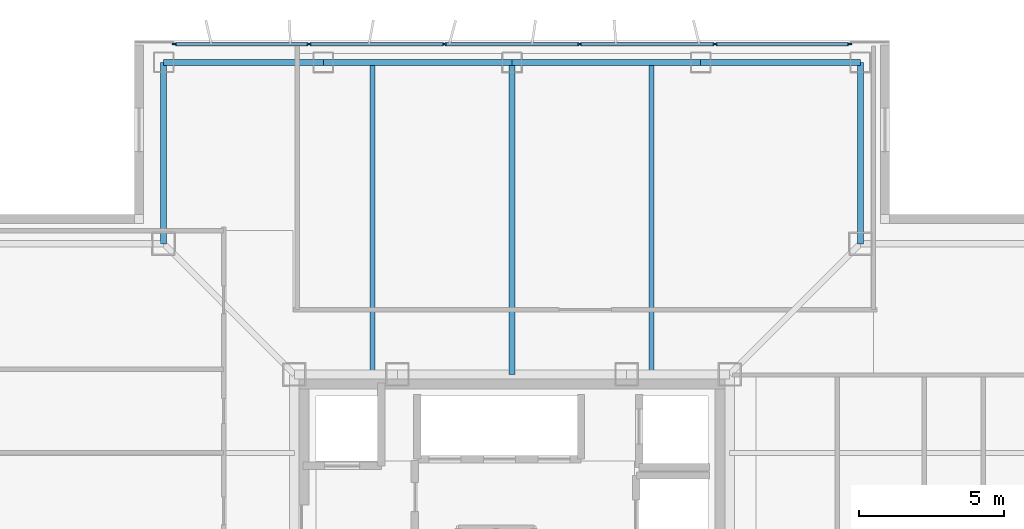
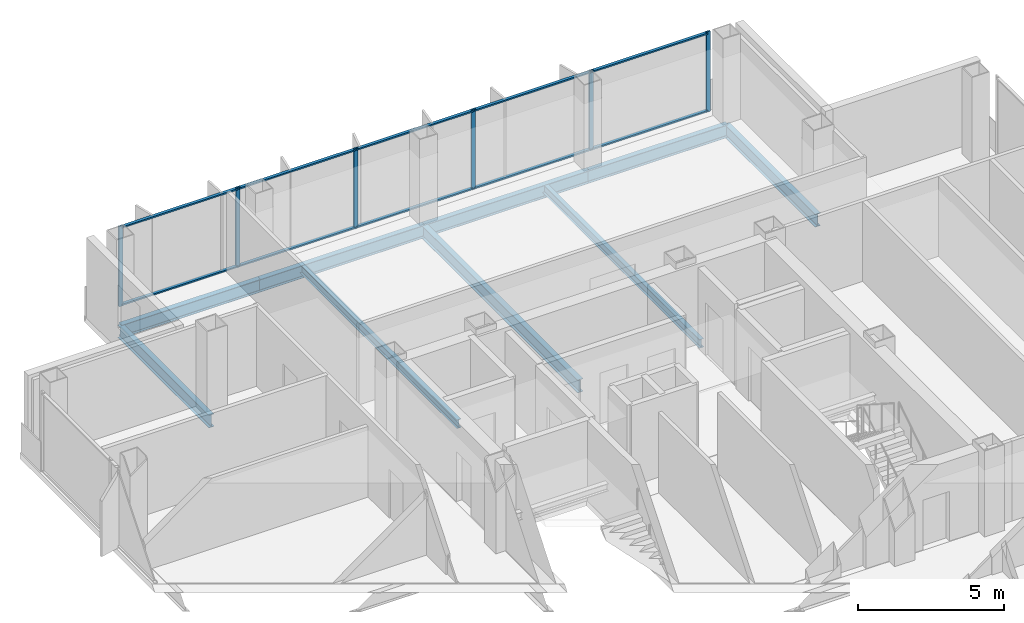
# One storey, part 6 of 15: 16 members, 9 beams, 1 element without a shape of its own.
"""IFC4 building model written with IfcOpenShell, lengths in metres."""

from ifc_helpers import new_model, si_unit, direction, frame, origin, origin_2d, place, context, subcontext, project, spatial, rectangle, i_section, extrude, material, layer, layer_set, material_profile, profile_set, type_object, element, aggregate, save


model = new_model("IFC4")

# Units and contexts
model_context = context("Model", 3, precision=1e-05, world=origin(), true_north=direction((0.0, 1.0)))
body_context = subcontext(model_context, "Body", "Model", "MODEL_VIEW")
ifc_project = project(units=[si_unit("LENGTHUNIT", "METRE"), si_unit("AREAUNIT", "SQUARE_METRE"), si_unit("VOLUMEUNIT", "CUBIC_METRE"), si_unit("PLANEANGLEUNIT", "RADIAN"), si_unit("MASSUNIT", "GRAM", prefix="KILO")], contexts=[model_context])

# Site, building, storey
site_placement = place(None, origin())
site = spatial("IfcSite", under=ifc_project, at=site_placement, CompositionType="ELEMENT")
building_placement = place(site_placement, origin())
building = spatial("IfcBuilding", under=site, at=building_placement, Name="Trevonay Congress Spire", CompositionType="ELEMENT")
storey_placement = place(building_placement, frame((0.0, 0.0, 293.60009765625)))
storey = spatial("IfcBuildingStorey", under=building, at=storey_placement, Name="L77", CompositionType="ELEMENT", Elevation=293.60009765625)

# Beams
ifc_material_1 = material(Name="Steel ASTM A572 Grade 50", Category="steel")
ifc_material_profile_1 = material_profile(ifc_material_1, i_section(OverallWidth=0.2119140625, OverallDepth=0.5439453125, WebThickness=0.01318359375, FlangeThickness=0.021240234375, FilletRadius=0.014892578125, at=origin_2d()), Name="W530x123")
ifc_profile_set_1 = profile_set([ifc_material_profile_1], Name="Steel ASTM A572 Grade 50")
beam_type_1 = type_object("IfcBeamType", Name="BM-GIRD-W530X123", PredefinedType="BEAM", material=ifc_profile_set_1)
beam_1_placement = place(storey_placement, frame((0.0, 7.5, -0.51220703125), z_axis=(0.0, 1.0, 0.0), x_axis=(-1.0, 0.0, 0.0)))
element("IfcBeam", 1, at=beam_1_placement, inside=storey, type_object=beam_type_1, Name="L77 structural beam BM-L77-GC-N", PredefinedType="BEAM", context=body_context, shape_type="SweptSolid", body=[
    extrude(i_section(OverallWidth=0.2119140625, OverallDepth=0.5439453125, WebThickness=0.01318359375, FlangeThickness=0.021240234375, FilletRadius=0.014892578125, at=origin_2d()), origin(), (0.0, 0.0, 1.0), 10.75),
])
ifc_material_profile_2 = material_profile(ifc_material_1, i_section(OverallWidth=0.208984375, OverallDepth=0.532958984375, WebThickness=0.01025390625, FlangeThickness=0.015625, FilletRadius=0.014892578125, at=origin_2d()), Name="W530x92")
ifc_profile_set_2 = profile_set([ifc_material_profile_2], Name="Steel ASTM A572 Grade 50")
beam_type_2 = type_object("IfcBeamType", Name="BM-RING-W530X92", PredefinedType="BEAM", material=ifc_profile_set_2)
beam_2_placement = place(storey_placement, frame((-12.0, 18.25, -0.506591796875), z_axis=(1.0, 0.0, 0.0), x_axis=(0.0, 1.0, 0.0)))
element("IfcBeam", 2, at=beam_2_placement, inside=storey, type_object=beam_type_2, Name="L77 structural beam BM-L77-PN1", PredefinedType="BEAM", context=body_context, shape_type="SweptSolid", body=[
    extrude(i_section(OverallWidth=0.208984375, OverallDepth=0.532958984375, WebThickness=0.01025390625, FlangeThickness=0.015625, FilletRadius=0.014892578125, at=origin_2d()), origin(), (0.0, 0.0, 1.0), 5.5),
])
for number, where, z_axis, x_axis, name in (
    (3, (-6.5, 18.25, -0.506591796875), (1.0, 0.0, 0.0), (0.0, 1.0, 0.0), "L77 structural beam BM-L77-PN2"),
    (4, (0.0, 18.25, -0.506591796875), (1.0, 0.0, 0.0), (0.0, 1.0, 0.0), "L77 structural beam BM-L77-PN3"),
):
    element("IfcBeam", number, at=place(storey_placement, frame(where, z_axis=z_axis, x_axis=x_axis)), inside=storey, type_object=beam_type_2, Name=name, PredefinedType="BEAM", context=body_context, shape_type="SweptSolid", body=[
        extrude(i_section(OverallWidth=0.208984375, OverallDepth=0.532958984375, WebThickness=0.01025390625, FlangeThickness=0.015625, FilletRadius=0.014892578125, at=origin_2d()), origin(), (0.0, 0.0, 1.0), 6.5),
    ])
beam_3_placement = place(storey_placement, frame((6.5, 18.25, -0.506591796875), z_axis=(1.0, 0.0, 0.0), x_axis=(0.0, 1.0, 0.0)))
element("IfcBeam", 5, at=beam_3_placement, inside=storey, type_object=beam_type_2, Name="L77 structural beam BM-L77-PN4", PredefinedType="BEAM", context=body_context, shape_type="SweptSolid", body=[
    extrude(i_section(OverallWidth=0.208984375, OverallDepth=0.532958984375, WebThickness=0.01025390625, FlangeThickness=0.015625, FilletRadius=0.014892578125, at=origin_2d()), origin(), (0.0, 0.0, 1.0), 5.5),
])
for number, where, z_axis, x_axis, name in (
    (6, (12.0, 18.25, -0.506591796875), (0.0, -1.0, 0.0), (1.0, 0.0, 0.0), "L77 structural beam BM-L77-N1NE"),
    (7, (-12.0, 18.25, -0.506591796875), (0.0, -1.0, 0.0), (1.0, 0.0, 0.0), "L77 structural beam BM-L77-N1NW"),
):
    element("IfcBeam", number, at=place(storey_placement, frame(where, z_axis=z_axis, x_axis=x_axis)), inside=storey, type_object=beam_type_2, Name=name, PredefinedType="BEAM", context=body_context, shape_type="SweptSolid", body=[
        extrude(i_section(OverallWidth=0.208984375, OverallDepth=0.532958984375, WebThickness=0.01025390625, FlangeThickness=0.015625, FilletRadius=0.014892578125, at=origin_2d()), origin(), (0.0, 0.0, 1.0), 6.25),
    ])

# Curtain wall, members
ifc_material_2 = material(Name="Pale Anodised Aluminium EN AW-6063-T6", Category="aluminium")
ifc_layer = layer(ifc_material_2, 0.1650390625, Name="Pale Anodised Aluminium EN AW-6063-T6")
ifc_layer_set = layer_set([ifc_layer], Name="Pale Anodised Aluminium EN AW-6063-T6")
curtain_wall_type = type_object("IfcCurtainWallType", Name="CW-SYS05-DIPLOM-PALE-METAL", PredefinedType="NOTDEFINED", material=ifc_layer_set)
curtain_wall_placement = place(storey_placement, origin())
curtain_wall = element("IfcCurtainWall", 8, at=curtain_wall_placement, inside=storey, type_object=curtain_wall_type, Name="L77 N unitised curtain wall", PredefinedType="NOTDEFINED")
ifc_material_profile_3 = material_profile(ifc_material_2, rectangle(XDim=0.06005859375, YDim=0.159912109375, at=origin_2d()), Name="CW-MULLION-160-ALUMINIUM")
ifc_profile_set_3 = profile_set([ifc_material_profile_3], Name="Pale Anodised Aluminium EN AW-6063-T6")
member_type_1 = type_object("IfcMemberType", Name="CW-MULLION-160-ALUMINIUM", PredefinedType="MULLION", material=ifc_profile_set_3)
member_1_placement = place(storey_placement, frame((-11.6201171875, 18.8798828125, 0.0), z_axis=(0.0, 0.0, 1.0), x_axis=(0.0, 1.0, 0.0)))
member_1 = element("IfcMember", 9, at=member_1_placement, type_object=member_type_1, Name="CW05 mullion 1", PredefinedType="MULLION", context=body_context, shape_type="SweptSolid", body=[
    extrude(rectangle(XDim=0.06005859375, YDim=0.159912109375, at=origin_2d()), origin(), (0.0, 0.0, 1.0), 3.35986328125),
])
member_2_placement = place(storey_placement, frame((-6.989990234375, 18.8798828125, 0.0), z_axis=(0.0, 0.0, 1.0), x_axis=(0.0, 1.0, 0.0)))
member_2 = element("IfcMember", 10, at=member_2_placement, type_object=member_type_1, Name="CW05 mullion 2", PredefinedType="MULLION", context=body_context, shape_type="SweptSolid", body=[
    extrude(rectangle(XDim=0.06005859375, YDim=0.159912109375, at=origin_2d()), origin(), (0.0, 0.0, 1.0), 3.35986328125),
])
member_3_placement = place(storey_placement, frame((-2.330078125, 18.8798828125, 0.0), z_axis=(0.0, 0.0, 1.0), x_axis=(0.0, 1.0, 0.0)))
member_3 = element("IfcMember", 11, at=member_3_placement, type_object=member_type_1, Name="CW05 mullion 3", PredefinedType="MULLION", context=body_context, shape_type="SweptSolid", body=[
    extrude(rectangle(XDim=0.06005859375, YDim=0.159912109375, at=origin_2d()), origin(), (0.0, 0.0, 1.0), 3.35986328125),
])
member_4_placement = place(storey_placement, frame((2.330078125, 18.8798828125, 0.0), z_axis=(0.0, 0.0, 1.0), x_axis=(0.0, 1.0, 0.0)))
member_4 = element("IfcMember", 12, at=member_4_placement, type_object=member_type_1, Name="CW05 mullion 4", PredefinedType="MULLION", context=body_context, shape_type="SweptSolid", body=[
    extrude(rectangle(XDim=0.06005859375, YDim=0.159912109375, at=origin_2d()), origin(), (0.0, 0.0, 1.0), 3.35986328125),
])
member_5_placement = place(storey_placement, frame((6.989990234375, 18.8798828125, 0.0), z_axis=(0.0, 0.0, 1.0), x_axis=(0.0, 1.0, 0.0)))
member_5 = element("IfcMember", 13, at=member_5_placement, type_object=member_type_1, Name="CW05 mullion 5", PredefinedType="MULLION", context=body_context, shape_type="SweptSolid", body=[
    extrude(rectangle(XDim=0.06005859375, YDim=0.159912109375, at=origin_2d()), origin(), (0.0, 0.0, 1.0), 3.35986328125),
])
member_6_placement = place(storey_placement, frame((11.6201171875, 18.8798828125, 0.0), z_axis=(0.0, 0.0, 1.0), x_axis=(0.0, 1.0, 0.0)))
member_6 = element("IfcMember", 14, at=member_6_placement, type_object=member_type_1, Name="CW05 mullion 6", PredefinedType="MULLION", context=body_context, shape_type="SweptSolid", body=[
    extrude(rectangle(XDim=0.06005859375, YDim=0.159912109375, at=origin_2d()), origin(), (0.0, 0.0, 1.0), 3.35986328125),
])
ifc_material_profile_4 = material_profile(ifc_material_2, rectangle(XDim=0.1201171875, YDim=0.06005859375, at=origin_2d()), Name="CW-TRANSOM-120-ALUMINIUM")
ifc_profile_set_4 = profile_set([ifc_material_profile_4], Name="Pale Anodised Aluminium EN AW-6063-T6")
member_type_2 = type_object("IfcMemberType", Name="CW-TRANSOM-120-ALUMINIUM", PredefinedType="USERDEFINED", material=ifc_profile_set_4)
member_7_placement = place(storey_placement, frame((-11.590087890625, 18.8798828125, 0.059814453125), z_axis=(1.0, 0.0, 0.0), x_axis=(0.0, 1.0, 0.0)))
member_7 = element("IfcMember", 15, at=member_7_placement, type_object=member_type_2, Name="CW05 transom 1.1", ObjectType="TRANSOM", PredefinedType="USERDEFINED", context=body_context, shape_type="SweptSolid", body=[
    extrude(rectangle(XDim=0.1201171875, YDim=0.06005859375, at=origin_2d()), origin(), (0.0, 0.0, 1.0), 4.570068359375),
])
member_8_placement = place(storey_placement, frame((-11.590087890625, 18.8798828125, 3.2998046875), z_axis=(1.0, 0.0, 0.0), x_axis=(0.0, 1.0, 0.0)))
member_8 = element("IfcMember", 16, at=member_8_placement, type_object=member_type_2, Name="CW05 transom 1.2", ObjectType="TRANSOM", PredefinedType="USERDEFINED", context=body_context, shape_type="SweptSolid", body=[
    extrude(rectangle(XDim=0.1201171875, YDim=0.06005859375, at=origin_2d()), origin(), (0.0, 0.0, 1.0), 4.570068359375),
])
member_9_placement = place(storey_placement, frame((-6.9599609375, 18.8798828125, 0.059814453125), z_axis=(1.0, 0.0, 0.0), x_axis=(0.0, 1.0, 0.0)))
member_9 = element("IfcMember", 17, at=member_9_placement, type_object=member_type_2, Name="CW05 transom 2.1", ObjectType="TRANSOM", PredefinedType="USERDEFINED", context=body_context, shape_type="SweptSolid", body=[
    extrude(rectangle(XDim=0.1201171875, YDim=0.06005859375, at=origin_2d()), origin(), (0.0, 0.0, 1.0), 4.599853515625),
])
member_10_placement = place(storey_placement, frame((-6.9599609375, 18.8798828125, 3.2998046875), z_axis=(1.0, 0.0, 0.0), x_axis=(0.0, 1.0, 0.0)))
member_10 = element("IfcMember", 18, at=member_10_placement, type_object=member_type_2, Name="CW05 transom 2.2", ObjectType="TRANSOM", PredefinedType="USERDEFINED", context=body_context, shape_type="SweptSolid", body=[
    extrude(rectangle(XDim=0.1201171875, YDim=0.06005859375, at=origin_2d()), origin(), (0.0, 0.0, 1.0), 4.599853515625),
])
member_11_placement = place(storey_placement, frame((-2.300048828125, 18.8798828125, 0.059814453125), z_axis=(1.0, 0.0, 0.0), x_axis=(0.0, 1.0, 0.0)))
member_11 = element("IfcMember", 19, at=member_11_placement, type_object=member_type_2, Name="CW05 transom 3.1", ObjectType="TRANSOM", PredefinedType="USERDEFINED", context=body_context, shape_type="SweptSolid", body=[
    extrude(rectangle(XDim=0.1201171875, YDim=0.06005859375, at=origin_2d()), origin(), (0.0, 0.0, 1.0), 4.60009765625),
])
member_12_placement = place(storey_placement, frame((-2.300048828125, 18.8798828125, 3.2998046875), z_axis=(1.0, 0.0, 0.0), x_axis=(0.0, 1.0, 0.0)))
member_12 = element("IfcMember", 20, at=member_12_placement, type_object=member_type_2, Name="CW05 transom 3.2", ObjectType="TRANSOM", PredefinedType="USERDEFINED", context=body_context, shape_type="SweptSolid", body=[
    extrude(rectangle(XDim=0.1201171875, YDim=0.06005859375, at=origin_2d()), origin(), (0.0, 0.0, 1.0), 4.60009765625),
])
member_13_placement = place(storey_placement, frame((2.360107421875, 18.8798828125, 0.059814453125), z_axis=(1.0, 0.0, 0.0), x_axis=(0.0, 1.0, 0.0)))
member_13 = element("IfcMember", 21, at=member_13_placement, type_object=member_type_2, Name="CW05 transom 4.1", ObjectType="TRANSOM", PredefinedType="USERDEFINED", context=body_context, shape_type="SweptSolid", body=[
    extrude(rectangle(XDim=0.1201171875, YDim=0.06005859375, at=origin_2d()), origin(), (0.0, 0.0, 1.0), 4.599853515625),
])
member_14_placement = place(storey_placement, frame((2.360107421875, 18.8798828125, 3.2998046875), z_axis=(1.0, 0.0, 0.0), x_axis=(0.0, 1.0, 0.0)))
member_14 = element("IfcMember", 22, at=member_14_placement, type_object=member_type_2, Name="CW05 transom 4.2", ObjectType="TRANSOM", PredefinedType="USERDEFINED", context=body_context, shape_type="SweptSolid", body=[
    extrude(rectangle(XDim=0.1201171875, YDim=0.06005859375, at=origin_2d()), origin(), (0.0, 0.0, 1.0), 4.599853515625),
])
member_15_placement = place(storey_placement, frame((7.02001953125, 18.8798828125, 0.059814453125), z_axis=(1.0, 0.0, 0.0), x_axis=(0.0, 1.0, 0.0)))
member_15 = element("IfcMember", 23, at=member_15_placement, type_object=member_type_2, Name="CW05 transom 5.1", ObjectType="TRANSOM", PredefinedType="USERDEFINED", context=body_context, shape_type="SweptSolid", body=[
    extrude(rectangle(XDim=0.1201171875, YDim=0.06005859375, at=origin_2d()), origin(), (0.0, 0.0, 1.0), 4.570068359375),
])
member_16_placement = place(storey_placement, frame((7.02001953125, 18.8798828125, 3.2998046875), z_axis=(1.0, 0.0, 0.0), x_axis=(0.0, 1.0, 0.0)))
member_16 = element("IfcMember", 24, at=member_16_placement, type_object=member_type_2, Name="CW05 transom 5.2", ObjectType="TRANSOM", PredefinedType="USERDEFINED", context=body_context, shape_type="SweptSolid", body=[
    extrude(rectangle(XDim=0.1201171875, YDim=0.06005859375, at=origin_2d()), origin(), (0.0, 0.0, 1.0), 4.570068359375),
])
aggregate(curtain_wall, [member_1, member_2, member_3, member_4, member_5, member_6, member_7, member_8, member_9, member_10, member_11, member_12, member_13, member_14, member_15, member_16])

# Beams
ifc_material_profile_5 = material_profile(ifc_material_1, i_section(OverallWidth=0.172119140625, OverallDepth=0.35791015625, WebThickness=0.0078125, FlangeThickness=0.01318359375, FilletRadius=0.011962890625, at=origin_2d()), Name="W360x57.8")
ifc_profile_set_5 = profile_set([ifc_material_profile_5], Name="Steel ASTM A572 Grade 50")
beam_type_3 = type_object("IfcBeamType", Name="JS-COMP-W360X57", PredefinedType="JOIST", material=ifc_profile_set_5)
for number, where, z_axis, x_axis, name in (
    (25, (-4.800048828125, 7.5, -0.419189453125), (0.0, 1.0, 0.0), (-1.0, 0.0, 0.0), "L77 structural beam JS-L77-NS-N1"),
    (26, (4.800048828125, 7.5, -0.419189453125), (0.0, 1.0, 0.0), (-1.0, 0.0, 0.0), "L77 structural beam JS-L77-NS-N3"),
):
    element("IfcBeam", number, at=place(storey_placement, frame(where, z_axis=z_axis, x_axis=x_axis)), inside=storey, type_object=beam_type_3, Name=name, PredefinedType="JOIST", context=body_context, shape_type="SweptSolid", body=[
        extrude(i_section(OverallWidth=0.172119140625, OverallDepth=0.35791015625, WebThickness=0.0078125, FlangeThickness=0.01318359375, FilletRadius=0.011962890625, at=origin_2d()), origin(), (0.0, 0.0, 1.0), 10.75),
    ])

save(model, "model.ifc")
